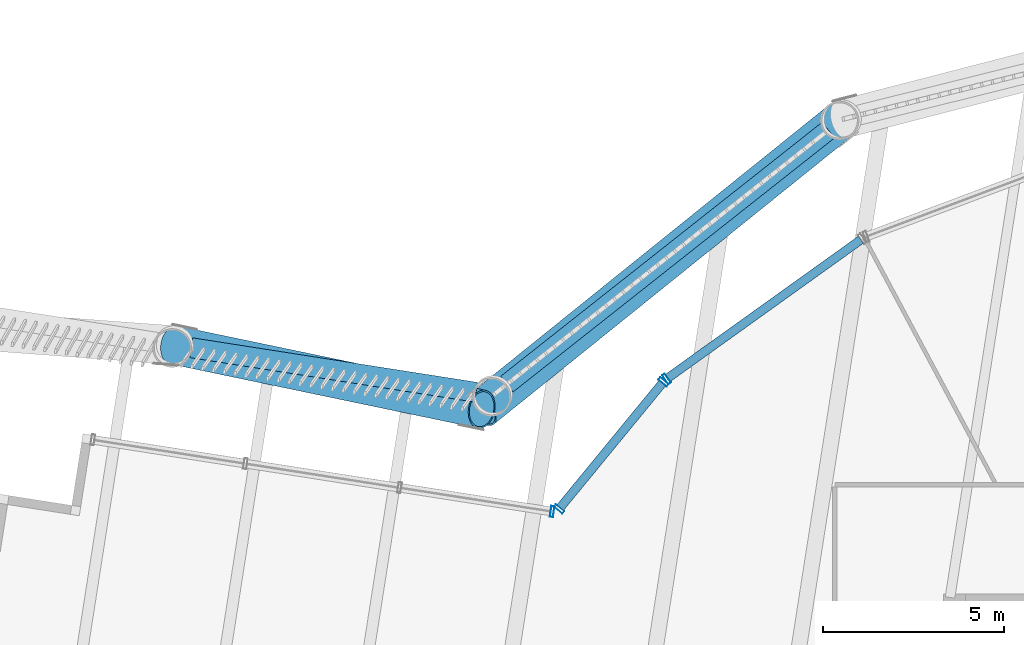
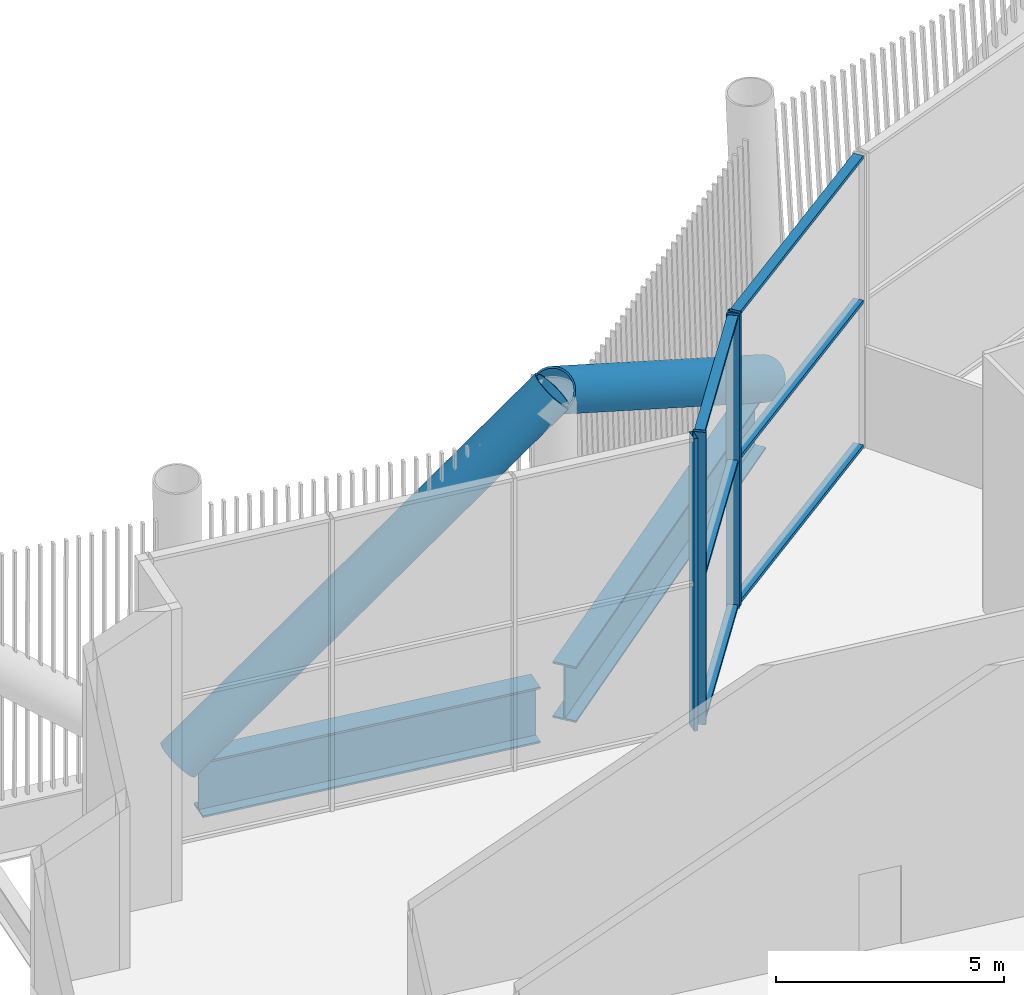
# One storey, part 22 of 55: 12 members, 2 beams, 3 elements without a shape of their own.
"""IFC4 building model written with IfcOpenShell, lengths in metres."""

from ifc_helpers import new_model, si_unit, direction, frame, origin, origin_2d, place, context, subcontext, project, spatial, hollow_rectangle, hollow_circle, i_section, extrude, material, layer, layer_set, material_profile, profile_set, type_object, element, aggregate, save


model = new_model("IFC4")

# Units and contexts
model_context = context("Model", 3, precision=1e-05, world=origin(), true_north=direction((0.0, 1.0)))
body_context = subcontext(model_context, "Body", "Model", "MODEL_VIEW")
ifc_project = project(units=[si_unit("LENGTHUNIT", "METRE"), si_unit("AREAUNIT", "SQUARE_METRE"), si_unit("VOLUMEUNIT", "CUBIC_METRE"), si_unit("PLANEANGLEUNIT", "RADIAN"), si_unit("MASSUNIT", "GRAM", prefix="KILO")], contexts=[model_context])

# Site, building, storey
site_placement = place(None, origin())
site = spatial("IfcSite", under=ifc_project, at=site_placement, CompositionType="ELEMENT")
building_placement = place(site_placement, origin())
building = spatial("IfcBuilding", under=site, at=building_placement, Name="Tarsis Ring Headquarters", CompositionType="ELEMENT")
storey_placement = place(building_placement, frame((0.0, 0.0, 247.199951171875)))
storey = spatial("IfcBuildingStorey", under=building, at=storey_placement, Name="L58", CompositionType="ELEMENT", Elevation=247.199951171875)

# Curtain wall, member
ifc_material_1 = material(Name="Aluminium curtain wall", Category="aluminium")
ifc_layer = layer(ifc_material_1, 0.300048828125)
ifc_layer_set = layer_set([ifc_layer], Name="Curtain wall upper sky lobby")
curtain_wall_type = type_object("IfcCurtainWallType", Name="Curtain wall upper sky lobby", PredefinedType="NOTDEFINED", material=ifc_layer_set)
curtain_wall_1_placement = place(storey_placement, origin())
curtain_wall_1 = element("IfcCurtainWall", 1, at=curtain_wall_1_placement, inside=storey, type_object=curtain_wall_type, Name="Curtain wall L58-29", PredefinedType="NOTDEFINED")
ifc_material_2 = material(Name="Aluminium mullion", Category="aluminium")
ifc_material_profile_1 = material_profile(ifc_material_2, hollow_rectangle(XDim=0.300048828125, YDim=0.090087890625, WallThickness=0.0048828125, at=origin_2d()), Name="RHS 300x90x5")
ifc_profile_set_1 = profile_set([ifc_material_profile_1], Name="Aluminium mullion")
member_type_1 = type_object("IfcMemberType", Name="Curtain wall mullion upper sky lobby RHS 300x90x5", PredefinedType="MULLION", material=ifc_profile_set_1)
member_1_placement = place(storey_placement, frame((-17.635498046875, 18.921875, 0.0), z_axis=(0.0, 0.0, 1.0), x_axis=(0.582406653888, -0.812897588573, 0.0)))
member_1 = element("IfcMember", 2, at=member_1_placement, type_object=member_type_1, Name="CW-U mullion 2", PredefinedType="MULLION", context=body_context, shape_type="SweptSolid", body=[
    extrude(hollow_rectangle(XDim=0.300048828125, YDim=0.090087890625, WallThickness=0.0048828125, at=origin_2d()), origin(), (0.0, 0.0, 1.0), 7.840087890625),
])

# Curtain wall, members
curtain_wall_2_placement = place(storey_placement, origin())
curtain_wall_2 = element("IfcCurtainWall", 3, at=curtain_wall_2_placement, inside=storey, type_object=curtain_wall_type, Name="Curtain wall L58-30", PredefinedType="NOTDEFINED")
member_2_placement = place(storey_placement, frame((-17.724609375, 18.83837890625, 0.0), z_axis=(0.0, 0.0, 1.0), x_axis=(0.772955127531, -0.634460692891, 0.0)))
member_2 = element("IfcMember", 4, at=member_2_placement, type_object=member_type_1, Name="CW-U mullion 1", PredefinedType="MULLION", context=body_context, shape_type="SweptSolid", body=[
    extrude(hollow_rectangle(XDim=0.300048828125, YDim=0.090087890625, WallThickness=0.0048828125, at=origin_2d()), origin(), (0.0, 0.0, 1.0), 7.840087890625),
])
member_3_placement = place(storey_placement, frame((-20.59716796875, 15.338623046875, 0.0), z_axis=(0.0, 0.0, 1.0), x_axis=(0.772955127531, -0.634460692891, 0.0)))
member_3 = element("IfcMember", 5, at=member_3_placement, type_object=member_type_1, Name="CW-U mullion 2", PredefinedType="MULLION", context=body_context, shape_type="SweptSolid", body=[
    extrude(hollow_rectangle(XDim=0.300048828125, YDim=0.090087890625, WallThickness=0.0048828125, at=origin_2d()), origin(), (0.0, 0.0, 1.0), 7.840087890625),
])

# Curtain wall, member
curtain_wall_3_placement = place(storey_placement, origin())
curtain_wall_3 = element("IfcCurtainWall", 6, at=curtain_wall_3_placement, inside=storey, type_object=curtain_wall_type, Name="Curtain wall L58-31", PredefinedType="NOTDEFINED")
member_4_placement = place(storey_placement, frame((-20.7861328125, 15.2666015625, 0.0), z_axis=(0.0, 0.0, 1.0), x_axis=(-0.154365535351, -0.988013806329, 0.0)))
member_4 = element("IfcMember", 7, at=member_4_placement, type_object=member_type_1, Name="CW-U mullion 1", PredefinedType="MULLION", context=body_context, shape_type="SweptSolid", body=[
    extrude(hollow_rectangle(XDim=0.300048828125, YDim=0.090087890625, WallThickness=0.0048828125, at=origin_2d()), origin(), (0.0, 0.0, 1.0), 7.840087890625),
])
aggregate(curtain_wall_3, [member_4])

# Member
ifc_material_3 = material(Name="Aluminium transom", Category="aluminium")
ifc_material_profile_2 = material_profile(ifc_material_3, hollow_rectangle(XDim=0.239990234375, YDim=0.090087890625, WallThickness=0.0048828125, at=origin_2d()), Name="RHS 240x90x5")
ifc_profile_set_2 = profile_set([ifc_material_profile_2], Name="Aluminium transom")
member_type_2 = type_object("IfcMemberType", Name="Curtain wall transom upper sky lobby RHS 240x90x5", PredefinedType="USERDEFINED", material=ifc_profile_set_2)
member_5_placement = place(storey_placement, frame((-12.281494140625, 22.7578125, 0.045166015625), z_axis=(-0.812900467726, -0.582402635272, 0.0), x_axis=(0.582402635272, -0.812900467726, 0.0)))
member_5 = element("IfcMember", 8, at=member_5_placement, type_object=member_type_2, Name="CW-U transom 1.1", ObjectType="TRANSOM", PredefinedType="USERDEFINED", context=body_context, shape_type="SweptSolid", body=[
    extrude(hollow_rectangle(XDim=0.239990234375, YDim=0.090087890625, WallThickness=0.0048828125, at=origin_2d()), origin(), (0.0, 0.0, 1.0), 6.54150390625),
])

member_6_placement = place(storey_placement, frame((-12.281494140625, 22.7578125, 3.920166015625), z_axis=(-0.812900467726, -0.582402635272, 0.0), x_axis=(0.582402635272, -0.812900467726, 0.0)))
member_6 = element("IfcMember", 9, at=member_6_placement, type_object=member_type_2, Name="CW-U transom 1.2", ObjectType="TRANSOM", PredefinedType="USERDEFINED", context=body_context, shape_type="SweptSolid", body=[
    extrude(hollow_rectangle(XDim=0.239990234375, YDim=0.090087890625, WallThickness=0.0048828125, at=origin_2d()), origin(), (0.0, 0.0, 1.0), 6.54150390625),
])

member_7_placement = place(storey_placement, frame((-12.281494140625, 22.7578125, 7.795166015625), z_axis=(-0.812900467726, -0.582402635272, 0.0), x_axis=(0.582402635272, -0.812900467726, 0.0)))
member_7 = element("IfcMember", 10, at=member_7_placement, type_object=member_type_2, Name="CW-U transom 1.3", ObjectType="TRANSOM", PredefinedType="USERDEFINED", context=body_context, shape_type="SweptSolid", body=[
    extrude(hollow_rectangle(XDim=0.239990234375, YDim=0.090087890625, WallThickness=0.0048828125, at=origin_2d()), origin(), (0.0, 0.0, 1.0), 6.54150390625),
])

aggregate(curtain_wall_1, [member_1, member_5, member_6, member_7])

member_8_placement = place(storey_placement, frame((-17.753173828125, 18.8037109375, 0.045166015625), z_axis=(-0.634441377791, -0.772970981439, 0.0), x_axis=(0.772970981439, -0.634441377791, 0.0)))
member_8 = element("IfcMember", 11, at=member_8_placement, type_object=member_type_2, Name="CW-U transom 1.1", ObjectType="TRANSOM", PredefinedType="USERDEFINED", context=body_context, shape_type="SweptSolid", body=[
    extrude(hollow_rectangle(XDim=0.239990234375, YDim=0.090087890625, WallThickness=0.0048828125, at=origin_2d()), origin(), (0.0, 0.0, 1.0), 4.437744140625),
])

member_9_placement = place(storey_placement, frame((-17.753173828125, 18.8037109375, 3.920166015625), z_axis=(-0.634441377791, -0.772970981439, 0.0), x_axis=(0.772970981439, -0.634441377791, 0.0)))
member_9 = element("IfcMember", 12, at=member_9_placement, type_object=member_type_2, Name="CW-U transom 1.2", ObjectType="TRANSOM", PredefinedType="USERDEFINED", context=body_context, shape_type="SweptSolid", body=[
    extrude(hollow_rectangle(XDim=0.239990234375, YDim=0.090087890625, WallThickness=0.0048828125, at=origin_2d()), origin(), (0.0, 0.0, 1.0), 4.437744140625),
])

member_10_placement = place(storey_placement, frame((-17.753173828125, 18.8037109375, 7.795166015625), z_axis=(-0.634441377791, -0.772970981439, 0.0), x_axis=(0.772970981439, -0.634441377791, 0.0)))
member_10 = element("IfcMember", 13, at=member_10_placement, type_object=member_type_2, Name="CW-U transom 1.3", ObjectType="TRANSOM", PredefinedType="USERDEFINED", context=body_context, shape_type="SweptSolid", body=[
    extrude(hollow_rectangle(XDim=0.239990234375, YDim=0.090087890625, WallThickness=0.0048828125, at=origin_2d()), origin(), (0.0, 0.0, 1.0), 4.437744140625),
])

aggregate(curtain_wall_2, [member_2, member_3, member_8, member_9, member_10])

# Members
ifc_material_4 = material(Name="Structural steel S355", Category="steel")
ifc_material_profile_3 = material_profile(ifc_material_4, hollow_circle(Radius=0.533447265625, WallThickness=0.044921875, at=origin_2d()), Name="CHS 1067x45")
ifc_profile_set_3 = profile_set([ifc_material_profile_3], Name="Structural steel S355")
member_type_3 = type_object("IfcMemberType", Name="TD Belt truss diagonal CHS 1067x45", PredefinedType="BRACE", material=ifc_profile_set_3)
member_11_placement = place(storey_placement, frame((-12.80126953125, 26.07568359375, 0.0), z_axis=(-0.659888719585, -0.530912682408, 0.531675278175), x_axis=(0.626853718697, -0.77913696829, 0.0)))
element("IfcMember", 14, at=member_11_placement, inside=storey, type_object=member_type_3, Name="Belt truss diagonal TD5", PredefinedType="BRACE", context=body_context, shape_type="SweptSolid", body=[
    extrude(hollow_circle(Radius=0.533447265625, WallThickness=0.044921875, at=origin_2d()), origin(), (0.0, 0.0, 1.0), 15.046875),
])
member_12_placement = place(storey_placement, frame((-31.206787109375, 19.855224609375, 0.0), z_axis=(0.719019107106, -0.149979445654, 0.678614536757), x_axis=(0.204194076603, 0.978930426067, 0.0)))
element("IfcMember", 15, at=member_12_placement, inside=storey, type_object=member_type_3, Name="Belt truss diagonal TD5", PredefinedType="BRACE", context=body_context, shape_type="SweptSolid", body=[
    extrude(hollow_circle(Radius=0.533447265625, WallThickness=0.044921875, at=origin_2d()), origin(), (0.0, 0.0, 1.0), 11.788818359375),
])

# Beams
ifc_material_profile_4 = material_profile(ifc_material_4, i_section(OverallWidth=0.550048828125, OverallDepth=1.5, WebThickness=0.030029296875, FlangeThickness=0.050048828125, at=origin_2d()), Name="PG 1500x550x30x50")
ifc_profile_set_4 = profile_set([ifc_material_profile_4], Name="Structural steel S355")
beam_type = type_object("IfcBeamType", Name="XG Ring girder PG 1500x550x30x50", PredefinedType="BEAM", material=ifc_profile_set_4)
beam_1_placement = place(storey_placement, frame((-13.177734375, 25.778076171875, -0.75), z_axis=(-0.784583180932, -0.620023573905, 0.0), x_axis=(0.620023573905, -0.784583180932, 0.0)))
element("IfcBeam", 16, at=beam_1_placement, inside=storey, type_object=beam_type, Name="Ring girder XG6", PredefinedType="BEAM", context=body_context, shape_type="SweptSolid", body=[
    extrude(i_section(OverallWidth=0.550048828125, OverallDepth=1.5, WebThickness=0.030029296875, FlangeThickness=0.050048828125, at=origin_2d()), origin(), (0.0, 0.0, 1.0), 11.288818359375),
])
beam_2_placement = place(storey_placement, frame((-22.885498046875, 18.55517578125, -0.75), z_axis=(-0.988012180271, 0.154375942544, 0.0), x_axis=(-0.154375942544, -0.988012180271, 0.0)))
element("IfcBeam", 17, at=beam_2_placement, inside=storey, type_object=beam_type, Name="Ring girder XG6", PredefinedType="BEAM", context=body_context, shape_type="SweptSolid", body=[
    extrude(i_section(OverallWidth=0.550048828125, OverallDepth=1.5, WebThickness=0.030029296875, FlangeThickness=0.050048828125, at=origin_2d()), origin(), (0.0, 0.0, 1.0), 7.942138671875),
])

save(model, "model.ifc")
